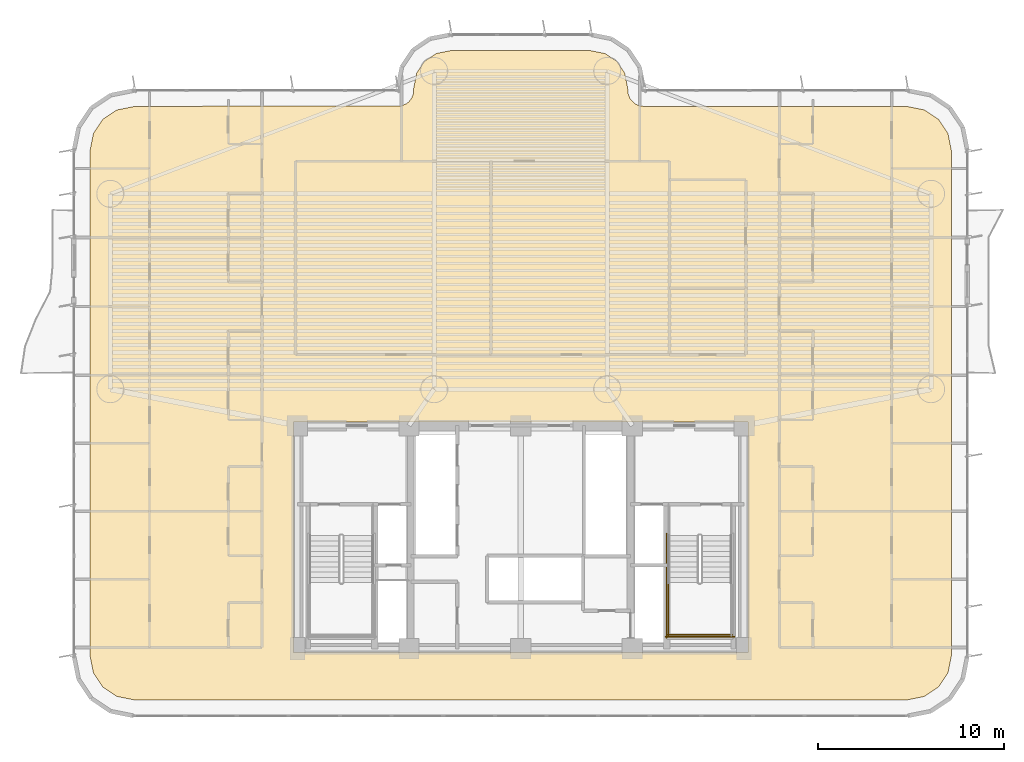
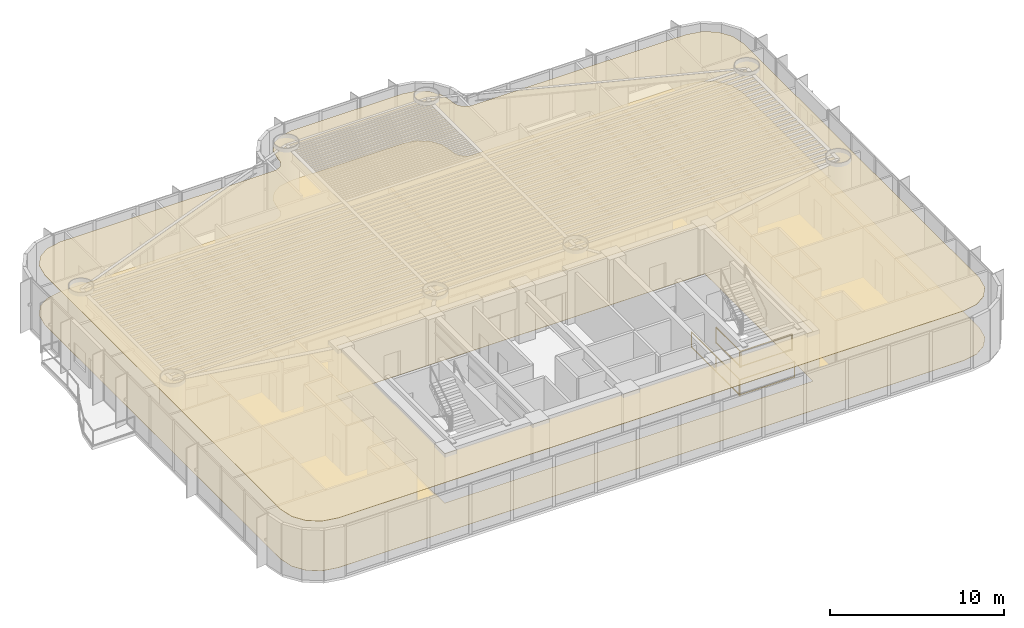
# One storey, part 17 of 19: 4 railings, 2 coverings.
"""IFC4 building model written with IfcOpenShell, lengths in metres."""

from ifc_helpers import new_model, si_unit, direction, frame, origin, origin_2d, place, context, subcontext, project, spatial, polyline, rectangle, outline, extrude, material, layer, layer_set, type_object, element, save


model = new_model("IFC4")

# Units and contexts
model_context = context("Model", 3, precision=1e-05, world=origin(), true_north=direction((0.0, 1.0)))
body_context = subcontext(model_context, "Body", "Model", "MODEL_VIEW")
ifc_project = project(units=[si_unit("LENGTHUNIT", "METRE"), si_unit("AREAUNIT", "SQUARE_METRE"), si_unit("VOLUMEUNIT", "CUBIC_METRE"), si_unit("PLANEANGLEUNIT", "RADIAN"), si_unit("MASSUNIT", "GRAM", prefix="KILO")], contexts=[model_context])

# Site, building, storey
site_placement = place(None, origin())
site = spatial("IfcSite", under=ifc_project, at=site_placement, CompositionType="ELEMENT")
building_placement = place(site_placement, origin())
building = spatial("IfcBuilding", under=site, at=building_placement, Name="Brelvock Crest Care Tower", CompositionType="ELEMENT")
storey_placement = place(building_placement, frame((0.0, 0.0, 34.56005859375)))
storey = spatial("IfcBuildingStorey", under=building, at=storey_placement, Name="L08", CompositionType="ELEMENT", Elevation=34.56005859375)

# Coverings
ifc_material_1 = material(Name="Mineral Fibre Acoustic Ceiling Tile", Category="gypsum")
ifc_layer_1 = layer(ifc_material_1, 0.02490234375, Name="COV-CLG1")
ifc_layer_set_1 = layer_set([ifc_layer_1], Name="Mineral Fibre Acoustic Ceiling Tile")
covering_type_1 = type_object("IfcCoveringType", Name="COV-CLG1", PredefinedType="CEILING", material=ifc_layer_set_1)
covering_1_placement = place(storey_placement, frame((0.0, 0.0, 3.474853515625)))
element("IfcCovering", 1, at=covering_1_placement, inside=storey, type_object=covering_type_1, Name="L08 Acoustic Suspended Ceiling 1", PredefinedType="CEILING", context=body_context, shape_type="SweptSolid", body=[
    extrude(outline(polyline([(56.71630859375, 35.14990234375), (42.5166015625, 35.154052734375), (42.353271484375, 35.1865234375), (42.127685546875, 35.293212890625), (41.893310546875, 35.52783203125), (41.766357421875, 35.834228515625), (41.75, 36.1162109375), (41.586181640625, 36.939697265625), (41.1669921875, 37.567138671875), (40.539794921875, 37.986083984375), (39.71630859375, 38.14990234375), (32.28369140625, 38.14990234375), (31.460205078125, 37.986083984375), (30.8330078125, 37.567138671875), (30.413818359375, 36.939697265625), (30.25, 36.1162109375), (30.233642578125, 35.834228515625), (30.149658203125, 35.599365234375), (30.0009765625, 35.39892578125), (29.872314453125, 35.293212890625), (29.56591796875, 35.166259765625), (15.28369140625, 35.14990234375), (14.30712890625, 34.955810546875), (13.550048828125, 34.449951171875), (13.044189453125, 33.69287109375), (12.85009765625, 32.71630859375), (12.85009765625, 5.68359375), (13.044189453125, 4.70703125), (13.550048828125, 3.9501953125), (14.30712890625, 3.4443359375), (15.28369140625, 3.25), (56.71630859375, 3.25), (57.69287109375, 3.4443359375), (58.449951171875, 3.9501953125), (58.955810546875, 4.70703125), (59.14990234375, 5.68359375), (59.14990234375, 32.71630859375), (58.955810546875, 33.69287109375), (58.449951171875, 34.449951171875), (57.69287109375, 34.955810546875), (56.71630859375, 35.14990234375)]), holes=[polyline([(48.199951171875, 5.800048828125), (48.199951171875, 18.199951171875), (23.800048828125, 18.199951171875), (23.800048828125, 5.800048828125), (48.199951171875, 5.800048828125)])]), origin(), (0.0, 0.0, 1.0), 0.025146484375),
])
ifc_material_2 = material(Name="Slip-Resistant Acoustic Vinyl Flooring", Category="finish")
ifc_layer_2 = layer(ifc_material_2, 0.014892578125, Name="COV-FLR1")
ifc_layer_set_2 = layer_set([ifc_layer_2], Name="Slip-Resistant Acoustic Vinyl Flooring")
covering_type_2 = type_object("IfcCoveringType", Name="COV-FLR1", PredefinedType="FLOORING", material=ifc_layer_set_2)
covering_2_placement = place(storey_placement, origin())
element("IfcCovering", 2, at=covering_2_placement, inside=storey, type_object=covering_type_2, Name="L08 Slip-Resistant Acoustic Flooring 1", PredefinedType="FLOORING", context=body_context, shape_type="SweptSolid", body=[
    extrude(outline(polyline([(56.71630859375, 35.14990234375), (42.5166015625, 35.154052734375), (42.353271484375, 35.1865234375), (42.127685546875, 35.293212890625), (41.893310546875, 35.52783203125), (41.766357421875, 35.834228515625), (41.75, 36.1162109375), (41.586181640625, 36.939697265625), (41.1669921875, 37.567138671875), (40.539794921875, 37.986083984375), (39.71630859375, 38.14990234375), (32.28369140625, 38.14990234375), (31.460205078125, 37.986083984375), (30.8330078125, 37.567138671875), (30.413818359375, 36.939697265625), (30.25, 36.1162109375), (30.233642578125, 35.834228515625), (30.149658203125, 35.599365234375), (30.0009765625, 35.39892578125), (29.872314453125, 35.293212890625), (29.56591796875, 35.166259765625), (15.28369140625, 35.14990234375), (14.30712890625, 34.955810546875), (13.550048828125, 34.449951171875), (13.044189453125, 33.69287109375), (12.85009765625, 32.71630859375), (12.85009765625, 5.68359375), (13.044189453125, 4.70703125), (13.550048828125, 3.9501953125), (14.30712890625, 3.4443359375), (15.28369140625, 3.25), (56.71630859375, 3.25), (57.69287109375, 3.4443359375), (58.449951171875, 3.9501953125), (58.955810546875, 4.70703125), (59.14990234375, 5.68359375), (59.14990234375, 32.71630859375), (58.955810546875, 33.69287109375), (58.449951171875, 34.449951171875), (57.69287109375, 34.955810546875), (56.71630859375, 35.14990234375)]), holes=[polyline([(48.199951171875, 5.800048828125), (48.199951171875, 18.199951171875), (23.800048828125, 18.199951171875), (23.800048828125, 5.800048828125), (48.199951171875, 5.800048828125)])]), origin(), (0.0, 0.0, 1.0), 0.014892578125),
])

# Railings
ifc_material_3 = material(Name="Steel Grade 350", Category="steel")
ifc_layer_3 = layer(ifc_material_3, 0.050048828125, Name="RL-STG1")
ifc_layer_set_3 = layer_set([ifc_layer_3], Name="Steel Grade 350")
railing_type = type_object("IfcRailingType", Name="RL-STG1", PredefinedType="GUARDRAIL", material=ifc_layer_set_3)
railing_1_placement = place(storey_placement, frame((43.93994140625, 9.56005859375, 1.889892578125)))
element("IfcRailing", 3, at=railing_1_placement, inside=storey, type_object=railing_type, Name="L08 ST-2 stair guard 3", PredefinedType="GUARDRAIL", context=body_context, shape_type="SweptSolid", body=[
    extrude(rectangle(XDim=0.048095703125, YDim=0.048095703125, at=origin_2d()), frame((0.0, -0.001953125, 1.11572265625), z_axis=(0.0, -1.0, 0.0), x_axis=(1.0, 0.0, 0.0)), (0.0, 0.0, 1.0), 2.856201171875),
    extrude(rectangle(XDim=0.048095703125, YDim=0.048095703125, at=origin_2d()), frame((0.0, -0.001953125, 0.054931640625), z_axis=(0.0, -1.0, 0.0), x_axis=(1.0, 0.0, 0.0)), (0.0, 0.0, 1.0), 2.856201171875),
    extrude(rectangle(XDim=0.0419921875, YDim=0.0419921875, at=origin_2d()), origin(), (0.0, 0.0, 1.0), 1.08984375),
    extrude(rectangle(XDim=0.0419921875, YDim=0.0419921875, at=origin_2d()), frame((0.0, -2.860107421875, 0.0)), (0.0, 0.0, 1.0), 1.08984375),
])
railing_2_placement = place(storey_placement, frame((43.889892578125, 6.75, 1.889892578125)))
element("IfcRailing", 4, at=railing_2_placement, inside=storey, type_object=railing_type, Name="L08 ST-2 stair guard 5", PredefinedType="GUARDRAIL", context=body_context, shape_type="SweptSolid", body=[
    extrude(rectangle(XDim=0.048095703125, YDim=0.048095703125, at=origin_2d()), frame((0.001953125, 0.0, 1.11572265625), z_axis=(1.0, 0.0, 0.0), x_axis=(0.0, 1.0, 0.0)), (0.0, 0.0, 1.0), 3.476318359375),
    extrude(rectangle(XDim=0.048095703125, YDim=0.048095703125, at=origin_2d()), frame((0.001953125, 0.0, 0.054931640625), z_axis=(1.0, 0.0, 0.0), x_axis=(0.0, 1.0, 0.0)), (0.0, 0.0, 1.0), 3.476318359375),
    extrude(rectangle(XDim=0.0419921875, YDim=0.0419921875, at=origin_2d()), origin(), (0.0, 0.0, 1.0), 1.08984375),
    extrude(rectangle(XDim=0.0419921875, YDim=0.0419921875, at=origin_2d()), frame((3.480224609375, 0.0, 0.0)), (0.0, 0.0, 1.0), 1.08984375),
])
railing_3_placement = place(storey_placement, frame((43.840087890625, 12.179931640625, 0.0)))
element("IfcRailing", 5, at=railing_3_placement, inside=storey, type_object=railing_type, Name="L08 ST-2 stair guard 10", PredefinedType="GUARDRAIL", context=body_context, shape_type="SweptSolid", body=[
    extrude(rectangle(XDim=0.048095703125, YDim=0.048095703125, at=origin_2d()), frame((0.0, -0.001953125, 1.11572265625), z_axis=(0.0, -1.0, 0.0), x_axis=(1.0, 0.0, 0.0)), (0.0, 0.0, 1.0), 5.575927734375),
    extrude(rectangle(XDim=0.048095703125, YDim=0.048095703125, at=origin_2d()), frame((0.0, -0.001953125, 0.054931640625), z_axis=(0.0, -1.0, 0.0), x_axis=(1.0, 0.0, 0.0)), (0.0, 0.0, 1.0), 5.575927734375),
    extrude(rectangle(XDim=0.0419921875, YDim=0.0419921875, at=origin_2d()), origin(), (0.0, 0.0, 1.0), 1.08984375),
    extrude(rectangle(XDim=0.0419921875, YDim=0.0419921875, at=origin_2d()), frame((0.0, -2.7900390625, 0.0)), (0.0, 0.0, 1.0), 1.08984375),
    extrude(rectangle(XDim=0.0419921875, YDim=0.0419921875, at=origin_2d()), frame((0.0, -5.579833984375, 0.0)), (0.0, 0.0, 1.0), 1.08984375),
])
railing_4_placement = place(storey_placement, frame((43.7900390625, 6.64990234375, 0.0)))
element("IfcRailing", 6, at=railing_4_placement, inside=storey, type_object=railing_type, Name="L08 ST-2 stair guard 12", PredefinedType="GUARDRAIL", context=body_context, shape_type="SweptSolid", body=[
    extrude(rectangle(XDim=0.048095703125, YDim=0.048095703125, at=origin_2d()), frame((0.001953125, 0.0, 1.11572265625), z_axis=(1.0, 0.0, 0.0), x_axis=(0.0, 1.0, 0.0)), (0.0, 0.0, 1.0), 3.676025390625),
    extrude(rectangle(XDim=0.048095703125, YDim=0.048095703125, at=origin_2d()), frame((0.001953125, 0.0, 0.054931640625), z_axis=(1.0, 0.0, 0.0), x_axis=(0.0, 1.0, 0.0)), (0.0, 0.0, 1.0), 3.676025390625),
    extrude(rectangle(XDim=0.0419921875, YDim=0.0419921875, at=origin_2d()), origin(), (0.0, 0.0, 1.0), 1.08984375),
    extrude(rectangle(XDim=0.0419921875, YDim=0.0419921875, at=origin_2d()), frame((3.679931640625, 0.0, 0.0)), (0.0, 0.0, 1.0), 1.08984375),
])

save(model, "model.ifc")
